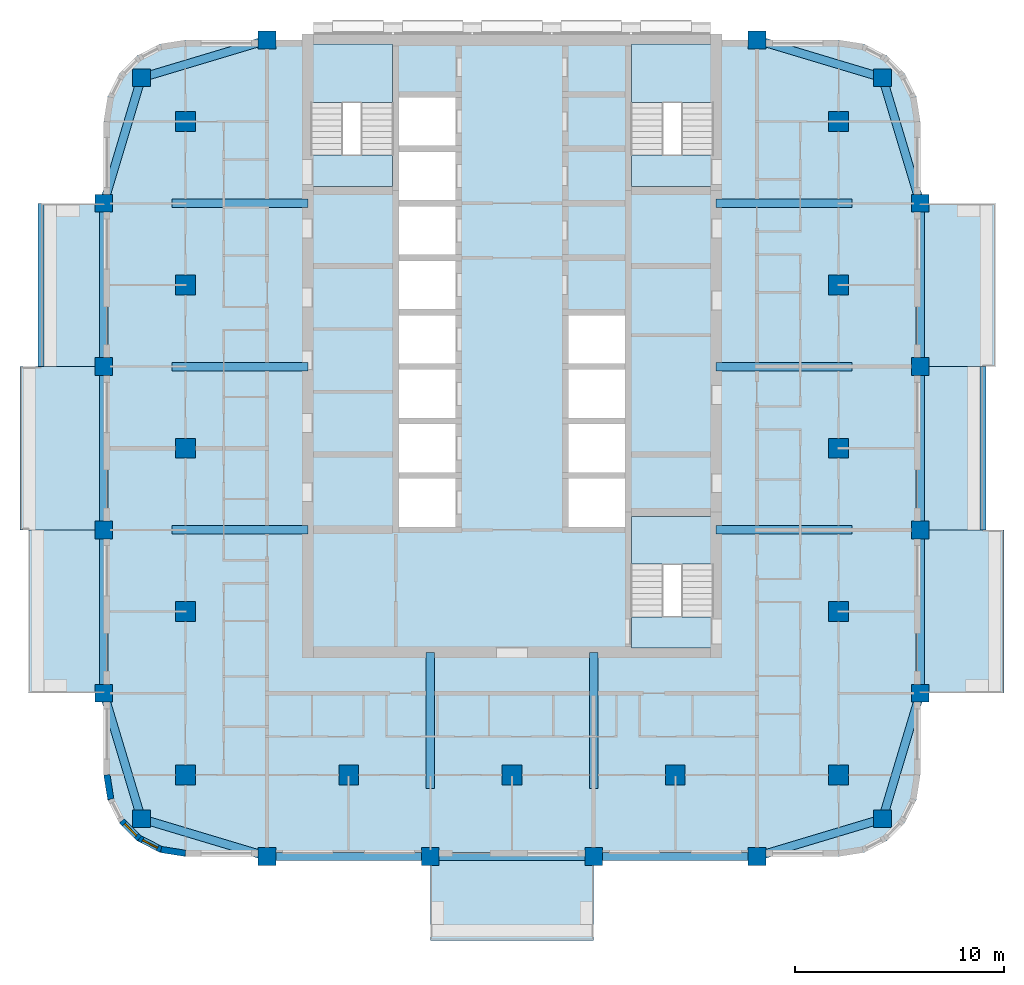
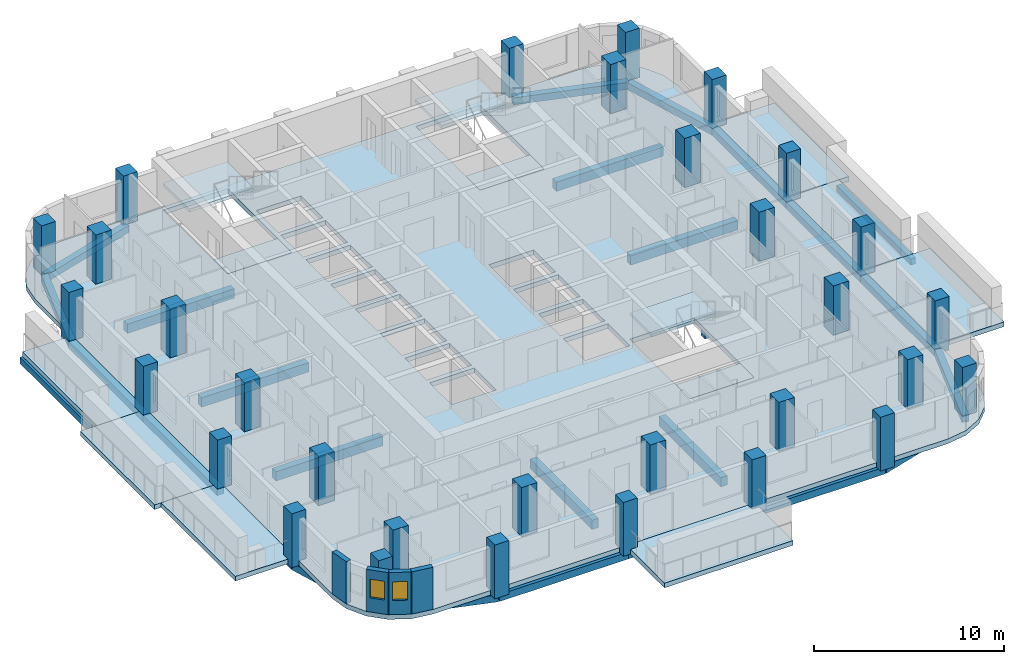
# One storey, part 1 of 14: 31 columns, 27 beams, 14 slabs, 4 walls, 2 windows, 2 openings, 3 elements without a shape of their own.
"""IFC4 building model written with IfcOpenShell, lengths in metres."""

from ifc_helpers import new_model, si_unit, direction, frame, frame_2d, origin, origin_2d, place, context, subcontext, project, spatial, polyline, rectangle, outline, extrude, material, layer, layer_set, material_profile, profile_set, type_object, element, fill, aggregate, save


model = new_model("IFC4")

# Units and contexts
model_context = context("Model", 3, precision=1e-05, world=origin(), true_north=direction((0.0, 1.0)))
body_context = subcontext(model_context, "Body", "Model", "MODEL_VIEW")
ifc_project = project(units=[si_unit("LENGTHUNIT", "METRE"), si_unit("AREAUNIT", "SQUARE_METRE"), si_unit("VOLUMEUNIT", "CUBIC_METRE"), si_unit("PLANEANGLEUNIT", "RADIAN"), si_unit("MASSUNIT", "GRAM", prefix="KILO")], contexts=[model_context])

# Site, building, storey
site_placement = place(None, origin())
site = spatial("IfcSite", under=ifc_project, at=site_placement, CompositionType="ELEMENT")
building_placement = place(site_placement, origin())
building = spatial("IfcBuilding", under=site, at=building_placement, Name="Ludao Terraces", CompositionType="ELEMENT")
storey_placement = place(building_placement, frame((0.0, 0.0, 99.89990234375)))
storey = spatial("IfcBuildingStorey", under=building, at=storey_placement, Name="L27", CompositionType="ELEMENT", Elevation=99.89990234375)

# Columns
ifc_material_1 = material(Name="Concrete C50", Category="concrete")
ifc_material_profile_1 = material_profile(ifc_material_1, rectangle(XDim=0.85009765625, YDim=0.85009765625, at=origin_2d()), Name="850 X 850")
ifc_profile_set_1 = profile_set([ifc_material_profile_1], Name="Concrete C50")
column_type_1 = type_object("IfcColumnType", Name="RC column 850x850 C50", PredefinedType="COLUMN", material=ifc_profile_set_1)
for number, where, z_axis, x_axis, name in (
    (1, (67.300048828125, 47.300048828125, -0.2998046875), (0.0, 0.0, 1.0), (1.0, 0.0, 0.0), "Column L27 C0057x0057"),
    (2, (102.699951171875, 47.300048828125, -0.2998046875), (0.0, 0.0, 1.0), (1.0, 0.0, 0.0), "Column L27 C0411x0057"),
    (3, (67.300048828125, 82.699951171875, -0.2998046875), (0.0, 0.0, 1.0), (1.0, 0.0, 0.0), "Column L27 C0057x0411"),
    (4, (102.699951171875, 82.699951171875, -0.2998046875), (0.0, 0.0, 1.0), (1.0, 0.0, 0.0), "Column L27 C0411x0411"),
    (5, (65.5, 53.300048828125, -0.2998046875), (0.0, 0.0, 1.0), (1.0, 0.0, 0.0), "Column L27 W0039x0117"),
    (6, (104.5, 53.300048828125, -0.2998046875), (0.0, 0.0, 1.0), (1.0, 0.0, 0.0), "Column L27 W0429x0117"),
    (7, (73.300048828125, 45.5, -0.2998046875), (0.0, 0.0, 1.0), (1.0, 0.0, 0.0), "Column L27 W0117x0039"),
    (8, (73.300048828125, 84.5, -0.2998046875), (0.0, 0.0, 1.0), (1.0, 0.0, 0.0), "Column L27 W0117x0429"),
    (9, (65.5, 61.10009765625, -0.2998046875), (0.0, 0.0, 1.0), (1.0, 0.0, 0.0), "Column L27 W0039x0195"),
    (10, (104.5, 61.10009765625, -0.2998046875), (0.0, 0.0, 1.0), (1.0, 0.0, 0.0), "Column L27 W0429x0195"),
    (11, (81.10009765625, 45.5, -0.2998046875), (0.0, 0.0, 1.0), (1.0, 0.0, 0.0), "Column L27 W0195x0039"),
    (12, (65.5, 68.89990234375, -0.2998046875), (0.0, 0.0, 1.0), (1.0, 0.0, 0.0), "Column L27 W0039x0273"),
    (13, (104.5, 68.89990234375, -0.2998046875), (0.0, 0.0, 1.0), (1.0, 0.0, 0.0), "Column L27 W0429x0273"),
    (14, (88.89990234375, 45.5, -0.2998046875), (0.0, 0.0, 1.0), (1.0, 0.0, 0.0), "Column L27 W0273x0039"),
    (15, (65.5, 76.699951171875, -0.2998046875), (0.0, 0.0, 1.0), (1.0, 0.0, 0.0), "Column L27 W0039x0351"),
    (16, (104.5, 76.699951171875, -0.2998046875), (0.0, 0.0, 1.0), (1.0, 0.0, 0.0), "Column L27 W0429x0351"),
    (17, (96.699951171875, 45.5, -0.2998046875), (0.0, 0.0, 1.0), (1.0, 0.0, 0.0), "Column L27 W0351x0039"),
    (18, (96.699951171875, 84.5, -0.2998046875), (0.0, 0.0, 1.0), (1.0, 0.0, 0.0), "Column L27 W0351x0429"),
):
    element("IfcColumn", number, at=place(storey_placement, frame(where, z_axis=z_axis, x_axis=x_axis)), inside=storey, type_object=column_type_1, Name=name, PredefinedType="COLUMN", context=body_context, shape_type="SweptSolid", body=[
        extrude(rectangle(XDim=0.85009765625, YDim=0.85009765625, at=origin_2d()), origin(), (0.0, 0.0, 1.0), 3.449951171875),
    ])
ifc_material_profile_2 = material_profile(ifc_material_1, rectangle(XDim=0.949951171875, YDim=0.949951171875, at=origin_2d()), Name="950 X 950")
ifc_profile_set_2 = profile_set([ifc_material_profile_2], Name="Concrete C50")
column_type_2 = type_object("IfcColumnType", Name="RC column 950x950 C50", PredefinedType="COLUMN", material=ifc_profile_set_2)
for number, where, z_axis, x_axis, name in (
    (19, (69.39990234375, 49.39990234375, -0.2998046875), (0.0, 0.0, 1.0), (1.0, 0.0, 0.0), "Column L27 S0078x0078"),
    (20, (69.39990234375, 57.199951171875, -0.2998046875), (0.0, 0.0, 1.0), (1.0, 0.0, 0.0), "Column L27 S0078x0156"),
    (21, (69.39990234375, 65.0, -0.2998046875), (0.0, 0.0, 1.0), (1.0, 0.0, 0.0), "Column L27 S0078x0234"),
    (22, (69.39990234375, 72.800048828125, -0.2998046875), (0.0, 0.0, 1.0), (1.0, 0.0, 0.0), "Column L27 S0078x0312"),
    (23, (69.39990234375, 80.60009765625, -0.2998046875), (0.0, 0.0, 1.0), (1.0, 0.0, 0.0), "Column L27 S0078x0390"),
    (24, (77.199951171875, 49.39990234375, -0.2998046875), (0.0, 0.0, 1.0), (1.0, 0.0, 0.0), "Column L27 S0156x0078"),
    (25, (85.0, 49.39990234375, -0.2998046875), (0.0, 0.0, 1.0), (1.0, 0.0, 0.0), "Column L27 S0234x0078"),
    (26, (92.800048828125, 49.39990234375, -0.2998046875), (0.0, 0.0, 1.0), (1.0, 0.0, 0.0), "Column L27 S0312x0078"),
    (27, (100.60009765625, 49.39990234375, -0.2998046875), (0.0, 0.0, 1.0), (1.0, 0.0, 0.0), "Column L27 S0390x0078"),
    (28, (100.60009765625, 57.199951171875, -0.2998046875), (0.0, 0.0, 1.0), (1.0, 0.0, 0.0), "Column L27 S0390x0156"),
    (29, (100.60009765625, 65.0, -0.2998046875), (0.0, 0.0, 1.0), (1.0, 0.0, 0.0), "Column L27 S0390x0234"),
    (30, (100.60009765625, 72.800048828125, -0.2998046875), (0.0, 0.0, 1.0), (1.0, 0.0, 0.0), "Column L27 S0390x0312"),
    (31, (100.60009765625, 80.60009765625, -0.2998046875), (0.0, 0.0, 1.0), (1.0, 0.0, 0.0), "Column L27 S0390x0390"),
):
    element("IfcColumn", number, at=place(storey_placement, frame(where, z_axis=z_axis, x_axis=x_axis)), inside=storey, type_object=column_type_2, Name=name, PredefinedType="COLUMN", context=body_context, shape_type="SweptSolid", body=[
        extrude(rectangle(XDim=0.949951171875, YDim=0.949951171875, at=origin_2d()), origin(), (0.0, 0.0, 1.0), 3.449951171875),
    ])

# Beams
ifc_material_2 = material(Name="Concrete C40", Category="concrete")
ifc_material_profile_3 = material_profile(ifc_material_2, rectangle(XDim=0.300048828125, YDim=0.39990234375, at=origin_2d()), Name="300 X 400")
ifc_profile_set_3 = profile_set([ifc_material_profile_3], Name="Concrete C40")
beam_type_1 = type_object("IfcBeamType", Name="RC beam 300x400 C40", PredefinedType="BEAM", material=ifc_profile_set_3)
beam_1_placement = place(storey_placement, frame((107.5, 61.10009765625, -0.5), z_axis=(0.0, 1.0, 0.0), x_axis=(-1.0, 0.0, 0.0)))
element("IfcBeam", 32, at=beam_1_placement, inside=storey, type_object=beam_type_1, Name="Balcony edge beam L27 E2", PredefinedType="BEAM", context=body_context, shape_type="SweptSolid", body=[
    extrude(rectangle(XDim=0.300048828125, YDim=0.39990234375, at=origin_2d()), origin(), (0.0, 0.0, 1.0), 7.7998046875),
])
beam_2_placement = place(storey_placement, frame((62.5, 68.89990234375, -0.5), z_axis=(0.0, 1.0, 0.0), x_axis=(-1.0, 0.0, 0.0)))
element("IfcBeam", 33, at=beam_2_placement, inside=storey, type_object=beam_type_1, Name="Balcony edge beam L27 W3", PredefinedType="BEAM", context=body_context, shape_type="SweptSolid", body=[
    extrude(rectangle(XDim=0.300048828125, YDim=0.39990234375, at=origin_2d()), origin(), (0.0, 0.0, 1.0), 7.800048828125),
])
ifc_material_profile_4 = material_profile(ifc_material_2, rectangle(XDim=0.39990234375, YDim=0.449951171875, at=origin_2d()), Name="400 X 450")
ifc_profile_set_4 = profile_set([ifc_material_profile_4], Name="Concrete C40")
beam_type_2 = type_object("IfcBeamType", Name="RC beam 400x450 C40", PredefinedType="BEAM", material=ifc_profile_set_4)
beam_3_placement = place(storey_placement, frame((67.300048828125, 47.300048828125, -0.52490234375), z_axis=(0.957824139839, -0.287355036744, 0.0), x_axis=(0.287355036744, 0.957824139839, 0.0)))
element("IfcBeam", 34, at=beam_3_placement, inside=storey, type_object=beam_type_2, Name="Spandrel beam L27 S1", PredefinedType="BEAM", context=body_context, shape_type="SweptSolid", body=[
    extrude(rectangle(XDim=0.39990234375, YDim=0.449951171875, at=origin_2d()), origin(), (0.0, 0.0, 1.0), 6.26416015625),
])
beam_4_placement = place(storey_placement, frame((73.300048828125, 45.5, -0.52490234375), z_axis=(1.0, 0.0, 0.0), x_axis=(0.0, 1.0, 0.0)))
element("IfcBeam", 35, at=beam_4_placement, inside=storey, type_object=beam_type_2, Name="Spandrel beam L27 S2", PredefinedType="BEAM", context=body_context, shape_type="SweptSolid", body=[
    extrude(rectangle(XDim=0.39990234375, YDim=0.449951171875, at=origin_2d()), origin(), (0.0, 0.0, 1.0), 7.800048828125),
])
beam_5_placement = place(storey_placement, frame((81.10009765625, 45.5, -0.52490234375), z_axis=(1.0, 0.0, 0.0), x_axis=(0.0, 1.0, 0.0)))
element("IfcBeam", 36, at=beam_5_placement, inside=storey, type_object=beam_type_2, Name="Spandrel beam L27 S3", PredefinedType="BEAM", context=body_context, shape_type="SweptSolid", body=[
    extrude(rectangle(XDim=0.39990234375, YDim=0.449951171875, at=origin_2d()), origin(), (0.0, 0.0, 1.0), 7.7998046875),
])
beam_6_placement = place(storey_placement, frame((88.89990234375, 45.5, -0.52490234375), z_axis=(1.0, 0.0, 0.0), x_axis=(0.0, 1.0, 0.0)))
element("IfcBeam", 37, at=beam_6_placement, inside=storey, type_object=beam_type_2, Name="Spandrel beam L27 S4", PredefinedType="BEAM", context=body_context, shape_type="SweptSolid", body=[
    extrude(rectangle(XDim=0.39990234375, YDim=0.449951171875, at=origin_2d()), origin(), (0.0, 0.0, 1.0), 7.800048828125),
])
for number, where, z_axis, x_axis, name in (
    (38, (96.699951171875, 45.5, -0.52490234375), (0.957824139839, 0.287355036744, 0.0), (-0.287355036744, 0.957824139839, 0.0), "Spandrel beam L27 S5"),
    (39, (67.300048828125, 82.699951171875, -0.52490234375), (0.957824139839, 0.287355036744, 0.0), (-0.287355036744, 0.957824139839, 0.0), "Spandrel beam L27 N6"),
    (40, (96.699951171875, 84.5, -0.52490234375), (0.957824139839, -0.287355036744, 0.0), (0.287355036744, 0.957824139839, 0.0), "Spandrel beam L27 N7"),
    (41, (67.300048828125, 47.300048828125, -0.52490234375), (-0.287355036744, 0.957824139839, 0.0), (-0.957824139839, -0.287355036744, 0.0), "Spandrel beam L27 W8"),
):
    element("IfcBeam", number, at=place(storey_placement, frame(where, z_axis=z_axis, x_axis=x_axis)), inside=storey, type_object=beam_type_2, Name=name, PredefinedType="BEAM", context=body_context, shape_type="SweptSolid", body=[
        extrude(rectangle(XDim=0.39990234375, YDim=0.449951171875, at=origin_2d()), origin(), (0.0, 0.0, 1.0), 6.26416015625),
    ])
beam_7_placement = place(storey_placement, frame((65.5, 53.300048828125, -0.52490234375), z_axis=(0.0, 1.0, 0.0), x_axis=(-1.0, 0.0, 0.0)))
element("IfcBeam", 42, at=beam_7_placement, inside=storey, type_object=beam_type_2, Name="Spandrel beam L27 W9", PredefinedType="BEAM", context=body_context, shape_type="SweptSolid", body=[
    extrude(rectangle(XDim=0.39990234375, YDim=0.449951171875, at=origin_2d()), origin(), (0.0, 0.0, 1.0), 7.800048828125),
])
beam_8_placement = place(storey_placement, frame((65.5, 61.10009765625, -0.52490234375), z_axis=(0.0, 1.0, 0.0), x_axis=(-1.0, 0.0, 0.0)))
element("IfcBeam", 43, at=beam_8_placement, inside=storey, type_object=beam_type_2, Name="Spandrel beam L27 W10", PredefinedType="BEAM", context=body_context, shape_type="SweptSolid", body=[
    extrude(rectangle(XDim=0.39990234375, YDim=0.449951171875, at=origin_2d()), origin(), (0.0, 0.0, 1.0), 7.7998046875),
])
beam_9_placement = place(storey_placement, frame((65.5, 68.89990234375, -0.52490234375), z_axis=(0.0, 1.0, 0.0), x_axis=(-1.0, 0.0, 0.0)))
element("IfcBeam", 44, at=beam_9_placement, inside=storey, type_object=beam_type_2, Name="Spandrel beam L27 W11", PredefinedType="BEAM", context=body_context, shape_type="SweptSolid", body=[
    extrude(rectangle(XDim=0.39990234375, YDim=0.449951171875, at=origin_2d()), origin(), (0.0, 0.0, 1.0), 7.800048828125),
])
for number, where, z_axis, x_axis, name in (
    (45, (65.5, 76.699951171875, -0.52490234375), (0.287355036744, 0.957824139839, 0.0), (-0.957824139839, 0.287355036744, 0.0), "Spandrel beam L27 W12"),
    (46, (102.699951171875, 47.300048828125, -0.52490234375), (0.287355036744, 0.957824139839, 0.0), (-0.957824139839, 0.287355036744, 0.0), "Spandrel beam L27 E13"),
):
    element("IfcBeam", number, at=place(storey_placement, frame(where, z_axis=z_axis, x_axis=x_axis)), inside=storey, type_object=beam_type_2, Name=name, PredefinedType="BEAM", context=body_context, shape_type="SweptSolid", body=[
        extrude(rectangle(XDim=0.39990234375, YDim=0.449951171875, at=origin_2d()), origin(), (0.0, 0.0, 1.0), 6.26416015625),
    ])
beam_10_placement = place(storey_placement, frame((104.5, 53.300048828125, -0.52490234375), z_axis=(0.0, 1.0, 0.0), x_axis=(-1.0, 0.0, 0.0)))
element("IfcBeam", 47, at=beam_10_placement, inside=storey, type_object=beam_type_2, Name="Spandrel beam L27 E14", PredefinedType="BEAM", context=body_context, shape_type="SweptSolid", body=[
    extrude(rectangle(XDim=0.39990234375, YDim=0.449951171875, at=origin_2d()), origin(), (0.0, 0.0, 1.0), 7.800048828125),
])
beam_11_placement = place(storey_placement, frame((104.5, 61.10009765625, -0.52490234375), z_axis=(0.0, 1.0, 0.0), x_axis=(-1.0, 0.0, 0.0)))
element("IfcBeam", 48, at=beam_11_placement, inside=storey, type_object=beam_type_2, Name="Spandrel beam L27 E15", PredefinedType="BEAM", context=body_context, shape_type="SweptSolid", body=[
    extrude(rectangle(XDim=0.39990234375, YDim=0.449951171875, at=origin_2d()), origin(), (0.0, 0.0, 1.0), 7.7998046875),
])
beam_12_placement = place(storey_placement, frame((104.5, 68.89990234375, -0.52490234375), z_axis=(0.0, 1.0, 0.0), x_axis=(-1.0, 0.0, 0.0)))
element("IfcBeam", 49, at=beam_12_placement, inside=storey, type_object=beam_type_2, Name="Spandrel beam L27 E16", PredefinedType="BEAM", context=body_context, shape_type="SweptSolid", body=[
    extrude(rectangle(XDim=0.39990234375, YDim=0.449951171875, at=origin_2d()), origin(), (0.0, 0.0, 1.0), 7.800048828125),
])
beam_13_placement = place(storey_placement, frame((104.5, 76.699951171875, -0.52490234375), z_axis=(-0.287355036744, 0.957824139839, 0.0), x_axis=(-0.957824139839, -0.287355036744, 0.0)))
element("IfcBeam", 50, at=beam_13_placement, inside=storey, type_object=beam_type_2, Name="Spandrel beam L27 E17", PredefinedType="BEAM", context=body_context, shape_type="SweptSolid", body=[
    extrude(rectangle(XDim=0.39990234375, YDim=0.449951171875, at=origin_2d()), origin(), (0.0, 0.0, 1.0), 6.26416015625),
])
ifc_material_profile_5 = material_profile(ifc_material_2, rectangle(XDim=0.39990234375, YDim=0.60009765625, at=origin_2d()), Name="400 X 600")
ifc_profile_set_5 = profile_set([ifc_material_profile_5], Name="Concrete C40")
beam_type_3 = type_object("IfcBeamType", Name="RC beam 400x600 C40", PredefinedType="BEAM", material=ifc_profile_set_5)
for number, where, z_axis, x_axis, name in (
    (51, (94.75, 61.10009765625, -0.599853515625), (1.0, 0.0, 0.0), (0.0, 1.0, 0.0), "Balcony beam L27 E611"),
    (52, (94.75, 68.89990234375, -0.599853515625), (1.0, 0.0, 0.0), (0.0, 1.0, 0.0), "Balcony beam L27 E689"),
    (53, (94.75, 76.699951171875, -0.599853515625), (1.0, 0.0, 0.0), (0.0, 1.0, 0.0), "Balcony beam L27 E767"),
    (54, (81.10009765625, 55.25, -0.599853515625), (0.0, -1.0, 0.0), (1.0, 0.0, 0.0), "Balcony beam L27 S811"),
    (55, (88.89990234375, 55.25, -0.599853515625), (0.0, -1.0, 0.0), (1.0, 0.0, 0.0), "Balcony beam L27 S889"),
    (56, (75.25, 61.10009765625, -0.599853515625), (-1.0, 0.0, 0.0), (0.0, -1.0, 0.0), "Balcony beam L27 W611"),
    (57, (75.25, 68.89990234375, -0.599853515625), (-1.0, 0.0, 0.0), (0.0, -1.0, 0.0), "Balcony beam L27 W689"),
    (58, (75.25, 76.699951171875, -0.599853515625), (-1.0, 0.0, 0.0), (0.0, -1.0, 0.0), "Balcony beam L27 W767"),
):
    element("IfcBeam", number, at=place(storey_placement, frame(where, z_axis=z_axis, x_axis=x_axis)), inside=storey, type_object=beam_type_3, Name=name, PredefinedType="BEAM", context=body_context, shape_type="SweptSolid", body=[
        extrude(rectangle(XDim=0.39990234375, YDim=0.60009765625, at=origin_2d()), origin(), (0.0, 0.0, 1.0), 6.5),
    ])

# Slabs
ifc_layer_1 = layer(ifc_material_2, 0.300048828125)
ifc_layer_set_1 = layer_set([ifc_layer_1], Name="Balcony slab 300 C40")
slab_type_1 = type_object("IfcSlabType", Name="Balcony slab 300 C40", PredefinedType="USERDEFINED", material=ifc_layer_set_1)
slab_1_placement = place(storey_placement, frame((0.0, 0.0, -0.2998046875)))
element("IfcSlab", 59, at=slab_1_placement, inside=storey, type_object=slab_type_1, Name="Balcony L27 S1", ObjectType="BALCONY", PredefinedType="USERDEFINED", context=body_context, shape_type="SweptSolid", body=[
    extrude(outline(polyline([(81.10009765625, 41.5), (88.89990234375, 41.5), (88.89990234375, 45.5), (81.10009765625, 45.5), (81.10009765625, 41.5)])), origin(), (0.0, 0.0, 1.0), 0.2998046875),
])
slab_2_placement = place(storey_placement, frame((0.0, 0.0, -0.2998046875)))
element("IfcSlab", 60, at=slab_2_placement, inside=storey, type_object=slab_type_1, Name="Balcony L27 E1", ObjectType="BALCONY", PredefinedType="USERDEFINED", context=body_context, shape_type="SweptSolid", body=[
    extrude(outline(polyline([(104.5, 53.300048828125), (108.5, 53.300048828125), (108.5, 61.10009765625), (104.5, 61.10009765625), (104.5, 53.300048828125)])), origin(), (0.0, 0.0, 1.0), 0.2998046875),
])
slab_3_placement = place(storey_placement, frame((0.0, 0.0, -0.2998046875)))
element("IfcSlab", 61, at=slab_3_placement, inside=storey, type_object=slab_type_1, Name="Balcony L27 E2", ObjectType="BALCONY", PredefinedType="USERDEFINED", context=body_context, shape_type="SweptSolid", body=[
    extrude(outline(polyline([(104.5, 61.10009765625), (107.5, 61.10009765625), (107.5, 68.89990234375), (104.5, 68.89990234375), (104.5, 61.10009765625)])), origin(), (0.0, 0.0, 1.0), 0.2998046875),
])
slab_4_placement = place(storey_placement, frame((0.0, 0.0, -0.2998046875)))
element("IfcSlab", 62, at=slab_4_placement, inside=storey, type_object=slab_type_1, Name="Balcony L27 E3", ObjectType="BALCONY", PredefinedType="USERDEFINED", context=body_context, shape_type="SweptSolid", body=[
    extrude(outline(polyline([(104.5, 68.89990234375), (108.10009765625, 68.89990234375), (108.10009765625, 76.699951171875), (104.5, 76.699951171875), (104.5, 68.89990234375)])), origin(), (0.0, 0.0, 1.0), 0.2998046875),
])
slab_5_placement = place(storey_placement, frame((0.0, 0.0, -0.2998046875)))
element("IfcSlab", 63, at=slab_5_placement, inside=storey, type_object=slab_type_1, Name="Balcony L27 W1", ObjectType="BALCONY", PredefinedType="USERDEFINED", context=body_context, shape_type="SweptSolid", body=[
    extrude(outline(polyline([(61.89990234375, 53.300048828125), (65.5, 53.300048828125), (65.5, 61.10009765625), (61.89990234375, 61.10009765625), (61.89990234375, 53.300048828125)])), origin(), (0.0, 0.0, 1.0), 0.2998046875),
])
slab_6_placement = place(storey_placement, frame((0.0, 0.0, -0.2998046875)))
element("IfcSlab", 64, at=slab_6_placement, inside=storey, type_object=slab_type_1, Name="Balcony L27 W2", ObjectType="BALCONY", PredefinedType="USERDEFINED", context=body_context, shape_type="SweptSolid", body=[
    extrude(outline(polyline([(61.5, 61.10009765625), (65.5, 61.10009765625), (65.5, 68.89990234375), (61.5, 68.89990234375), (61.5, 61.10009765625)])), origin(), (0.0, 0.0, 1.0), 0.2998046875),
])
slab_7_placement = place(storey_placement, frame((0.0, 0.0, -0.2998046875)))
element("IfcSlab", 65, at=slab_7_placement, inside=storey, type_object=slab_type_1, Name="Balcony L27 W3", ObjectType="BALCONY", PredefinedType="USERDEFINED", context=body_context, shape_type="SweptSolid", body=[
    extrude(outline(polyline([(62.5, 68.89990234375), (65.5, 68.89990234375), (65.5, 76.699951171875), (62.5, 76.699951171875), (62.5, 68.89990234375)])), origin(), (0.0, 0.0, 1.0), 0.2998046875),
])
ifc_layer_2 = layer(ifc_material_2, 0.300048828125)
ifc_layer_set_2 = layer_set([ifc_layer_2], Name="Floor slab 300 C40")
slab_type_2 = type_object("IfcSlabType", Name="Floor slab 300 C40", PredefinedType="FLOOR", material=ifc_layer_set_2)
slab_8_placement = place(storey_placement, frame((0.0, 0.0, -0.2998046875)))
element("IfcSlab", 66, at=slab_8_placement, inside=storey, type_object=slab_type_2, Name="Slab L27", PredefinedType="FLOOR", context=body_context, shape_type="SweptSolid", body=[
    extrude(outline(polyline([(100.60009765625, 45.5), (101.80517578125, 45.69091796875), (102.892333984375, 46.244873046875), (103.755126953125, 47.107666015625), (104.30908203125, 48.19482421875), (104.5, 49.39990234375), (104.5, 80.60009765625), (104.30908203125, 81.80517578125), (103.755126953125, 82.892333984375), (102.892333984375, 83.755126953125), (101.80517578125, 84.30908203125), (100.60009765625, 84.5), (69.39990234375, 84.5), (68.19482421875, 84.30908203125), (67.107666015625, 83.755126953125), (66.244873046875, 82.892333984375), (65.69091796875, 81.80517578125), (65.5, 80.60009765625), (65.5, 49.39990234375), (65.69091796875, 48.19482421875), (66.244873046875, 47.107666015625), (67.107666015625, 46.244873046875), (68.19482421875, 45.69091796875), (69.39990234375, 45.5), (100.60009765625, 45.5)]), holes=[polyline([(79.60009765625, 61.25), (82.300048828125, 61.25), (82.300048828125, 63.550048828125), (79.60009765625, 63.550048828125), (79.60009765625, 61.25)]), polyline([(79.60009765625, 63.85009765625), (82.300048828125, 63.85009765625), (82.300048828125, 66.14990234375), (79.60009765625, 66.14990234375), (79.60009765625, 63.85009765625)]), polyline([(79.60009765625, 66.449951171875), (82.300048828125, 66.449951171875), (82.300048828125, 68.75), (79.60009765625, 68.75), (79.60009765625, 66.449951171875)]), polyline([(79.60009765625, 69.050048828125), (82.300048828125, 69.050048828125), (82.300048828125, 71.35009765625), (79.60009765625, 71.35009765625), (79.60009765625, 69.050048828125)]), polyline([(79.60009765625, 71.64990234375), (82.300048828125, 71.64990234375), (82.300048828125, 73.949951171875), (79.60009765625, 73.949951171875), (79.60009765625, 71.64990234375)]), polyline([(79.60009765625, 74.25), (82.300048828125, 74.25), (82.300048828125, 76.550048828125), (79.60009765625, 76.550048828125), (79.60009765625, 74.25)]), polyline([(79.60009765625, 76.85009765625), (82.300048828125, 76.85009765625), (82.300048828125, 79.14990234375), (79.60009765625, 79.14990234375), (79.60009765625, 76.85009765625)]), polyline([(79.60009765625, 79.449951171875), (82.300048828125, 79.449951171875), (82.300048828125, 81.75), (79.60009765625, 81.75), (79.60009765625, 79.449951171875)]), polyline([(87.699951171875, 61.25), (90.39990234375, 61.25), (90.39990234375, 63.550048828125), (87.699951171875, 63.550048828125), (87.699951171875, 61.25)]), polyline([(87.699951171875, 63.85009765625), (90.39990234375, 63.85009765625), (90.39990234375, 66.14990234375), (87.699951171875, 66.14990234375), (87.699951171875, 63.85009765625)]), polyline([(87.699951171875, 66.449951171875), (90.39990234375, 66.449951171875), (90.39990234375, 68.75), (87.699951171875, 68.75), (87.699951171875, 66.449951171875)]), polyline([(87.699951171875, 69.050048828125), (90.39990234375, 69.050048828125), (90.39990234375, 71.35009765625), (87.699951171875, 71.35009765625), (87.699951171875, 69.050048828125)]), polyline([(75.39990234375, 77.5), (79.300048828125, 77.5), (79.300048828125, 84.239990234375), (75.39990234375, 84.239990234375), (75.39990234375, 77.5)]), polyline([(90.699951171875, 77.5), (94.60009765625, 77.5), (94.60009765625, 84.239990234375), (90.699951171875, 84.239990234375), (90.699951171875, 77.5)]), polyline([(90.699951171875, 55.449951171875), (94.60009765625, 55.449951171875), (94.60009765625, 61.75), (90.699951171875, 61.75), (90.699951171875, 55.449951171875)])]), origin(), (0.0, 0.0, 1.0), 0.2998046875),
])

# Stair, slabs
stair_type = type_object("IfcStairType", Name="INT Stair", PredefinedType="HALF_TURN_STAIR", material=ifc_material_2)
stair_1_placement = place(storey_placement, origin())
stair_1 = element("IfcStair", 67, at=stair_1_placement, inside=storey, type_object=stair_type, Name="EXIT STAIR 1", PredefinedType="HALF_TURN_STAIR")
ifc_layer_3 = layer(ifc_material_2, 0.199951171875)
ifc_layer_set_3 = layer_set([ifc_layer_3], Name="INT Stair landing 200")
slab_type_3 = type_object("IfcSlabType", Name="INT Stair landing 200", PredefinedType="LANDING", material=ifc_layer_set_3)
slab_9_placement = place(storey_placement, frame((0.0, 0.0, 1.5)))
slab_9 = element("IfcSlab", 68, at=slab_9_placement, type_object=slab_type_3, Name="ST1 landing 1", PredefinedType="LANDING", context=body_context, shape_type="SweptSolid", body=[
    extrude(outline(polyline([(75.39990234375, 81.52001953125), (79.300048828125, 81.52001953125), (79.300048828125, 84.300048828125), (75.39990234375, 84.300048828125), (75.39990234375, 81.52001953125)])), origin(), (0.0, 0.0, 1.0), 0.2001953125),
])
slab_10_placement = place(storey_placement, frame((0.0, 0.0, -0.199951171875)))
slab_10 = element("IfcSlab", 69, at=slab_10_placement, type_object=slab_type_3, Name="ST1 landing 2", PredefinedType="LANDING", context=body_context, shape_type="SweptSolid", body=[
    extrude(outline(polyline([(75.39990234375, 77.5), (79.300048828125, 77.5), (79.300048828125, 79.0), (75.39990234375, 79.0), (75.39990234375, 77.5)])), origin(), (0.0, 0.0, 1.0), 0.199951171875),
])
aggregate(stair_1, [slab_9, slab_10])

stair_2_placement = place(storey_placement, origin())
stair_2 = element("IfcStair", 70, at=stair_2_placement, inside=storey, type_object=stair_type, Name="EXIT STAIR 2", PredefinedType="HALF_TURN_STAIR")
slab_11_placement = place(storey_placement, frame((0.0, 0.0, 1.5)))
slab_11 = element("IfcSlab", 71, at=slab_11_placement, type_object=slab_type_3, Name="ST2 landing 1", PredefinedType="LANDING", context=body_context, shape_type="SweptSolid", body=[
    extrude(outline(polyline([(90.699951171875, 81.52001953125), (94.60009765625, 81.52001953125), (94.60009765625, 84.300048828125), (90.699951171875, 84.300048828125), (90.699951171875, 81.52001953125)])), origin(), (0.0, 0.0, 1.0), 0.2001953125),
])
slab_12_placement = place(storey_placement, frame((0.0, 0.0, -0.199951171875)))
slab_12 = element("IfcSlab", 72, at=slab_12_placement, type_object=slab_type_3, Name="ST2 landing 2", PredefinedType="LANDING", context=body_context, shape_type="SweptSolid", body=[
    extrude(outline(polyline([(90.699951171875, 77.5), (94.60009765625, 77.5), (94.60009765625, 79.0), (90.699951171875, 79.0), (90.699951171875, 77.5)])), origin(), (0.0, 0.0, 1.0), 0.199951171875),
])
aggregate(stair_2, [slab_11, slab_12])

stair_3_placement = place(storey_placement, origin())
stair_3 = element("IfcStair", 73, at=stair_3_placement, inside=storey, type_object=stair_type, Name="EXIT STAIR 3", PredefinedType="HALF_TURN_STAIR")
slab_13_placement = place(storey_placement, frame((0.0, 0.0, 1.5)))
slab_13 = element("IfcSlab", 74, at=slab_13_placement, type_object=slab_type_3, Name="ST3 landing 1", PredefinedType="LANDING", context=body_context, shape_type="SweptSolid", body=[
    extrude(outline(polyline([(90.699951171875, 59.469970703125), (94.60009765625, 59.469970703125), (94.60009765625, 61.75), (90.699951171875, 61.75), (90.699951171875, 59.469970703125)])), origin(), (0.0, 0.0, 1.0), 0.2001953125),
])
slab_14_placement = place(storey_placement, frame((0.0, 0.0, -0.199951171875)))
slab_14 = element("IfcSlab", 75, at=slab_14_placement, type_object=slab_type_3, Name="ST3 landing 2", PredefinedType="LANDING", context=body_context, shape_type="SweptSolid", body=[
    extrude(outline(polyline([(90.699951171875, 55.449951171875), (94.60009765625, 55.449951171875), (94.60009765625, 56.949951171875), (90.699951171875, 56.949951171875), (90.699951171875, 55.449951171875)])), origin(), (0.0, 0.0, 1.0), 0.199951171875),
])
aggregate(stair_3, [slab_13, slab_14])

# Wall
ifc_material_3 = material(Name="Granite cladding", Category="masonry")
ifc_layer_4 = layer(ifc_material_3, 0.0400390625, Category="stone")
ifc_material_4 = material(Name="Mineral wool")
ifc_layer_5 = layer(ifc_material_4, 0.06005859375)
ifc_layer_6 = layer(ifc_material_2, 0.199951171875, Category="concrete")
ifc_layer_set_4 = layer_set([ifc_layer_4, ifc_layer_5, ifc_layer_6], Name="ENV Stone-clad wall 300")
wall_type = type_object("IfcWallType", Name="ENV Stone-clad wall 300", PredefinedType="SOLIDWALL", material=ifc_layer_set_4)
wall_1_placement = place(storey_placement, frame((65.64990234375, 49.39990234375, 0.0), z_axis=(0.0, 0.0, 1.0), x_axis=(0.156496880861, -0.987678452879, 0.0)))
element("IfcWall", 76, at=wall_1_placement, inside=storey, type_object=wall_type, Name="EW-L27-SW1", PredefinedType="SOLIDWALL", context=body_context, shape_type="SweptSolid", body=[
    extrude(rectangle(XDim=1.173095703125, YDim=0.300048828125, at=frame_2d((0.58642578125, 0.0))), origin(), (0.0, 0.0, 1.0), 2.7001953125),
])

# Wall, opening, window
wall_2_placement = place(storey_placement, frame((66.3662109375, 47.19580078125, 0.0), z_axis=(0.0, 0.0, 1.0), x_axis=(0.707106781187, -0.707106781187, 0.0)))
wall_2 = element("IfcWall", 77, at=wall_2_placement, inside=storey, type_object=wall_type, Name="EW-L27-SW3", PredefinedType="SOLIDWALL", context=body_context, shape_type="SweptSolid", body=[
    extrude(rectangle(XDim=1.173095703125, YDim=0.300048828125, at=frame_2d((0.58642578125, 0.0))), origin(), (0.0, 0.0, 1.0), 2.7001953125),
])
opening_1_placement = place(wall_2_placement, frame((0.1865234375, 0.0, 0.89990234375)))
opening_1 = element("IfcOpeningElement", 78, at=opening_1_placement, cuts=wall_2, Name="Opening W3", PredefinedType="OPENING", context=body_context, shape_type="SweptSolid", body=[
    extrude(rectangle(XDim=0.800048828125, YDim=1.199951171875, at=frame_2d((0.39990234375, 0.60009765625))), frame((0.0, 0.16015625, 0.0), z_axis=(0.0, -1.0, 0.0), x_axis=(1.0, 0.0, 0.0)), (0.0, 0.0, 1.0), 0.320068359375),
])
ifc_material_5 = material(Name="Clear glass in aluminium frame", Category="aluminium")
ifc_layer_7 = layer(ifc_material_5, 0.06005859375)
ifc_layer_set_5 = layer_set([ifc_layer_7], Name="ENV Window W3 800x1200")
window_type = type_object("IfcWindowType", Name="ENV Window W3 800x1200", PartitioningType="SINGLE_PANEL", PredefinedType="WINDOW", material=ifc_layer_set_5)
window_1_placement = place(opening_1_placement, origin())
window_1 = element("IfcWindow", 79, at=window_1_placement, inside=storey, type_object=window_type, Name="W-L27-SW3", OverallHeight=1.199951171875, OverallWidth=0.800048828125, PartitioningType="SINGLE_PANEL", PredefinedType="WINDOW", context=body_context, shape_type="SweptSolid", body=[
    extrude(rectangle(XDim=0.800048828125, YDim=1.199951171875, at=frame_2d((0.39990234375, 0.60009765625))), frame((0.0, 0.030029296875, 0.0), z_axis=(0.0, -1.0, 0.0), x_axis=(1.0, 0.0, 0.0)), (0.0, 0.0, 1.0), 0.06005859375),
])
fill(opening_1, window_1)

wall_3_placement = place(storey_placement, frame((67.19580078125, 46.3662109375, 0.0), z_axis=(0.0, 0.0, 1.0), x_axis=(0.890988677504, -0.454025524128, 0.0)))
wall_3 = element("IfcWall", 80, at=wall_3_placement, inside=storey, type_object=wall_type, Name="EW-L27-SW4", PredefinedType="SOLIDWALL", context=body_context, shape_type="SweptSolid", body=[
    extrude(rectangle(XDim=1.17333984375, YDim=0.300048828125, at=frame_2d((0.586669921875, 0.0))), origin(), (0.0, 0.0, 1.0), 2.7001953125),
])
opening_2_placement = place(wall_3_placement, frame((0.1865234375, 0.0, 0.89990234375)))
opening_2 = element("IfcOpeningElement", 81, at=opening_2_placement, cuts=wall_3, Name="Opening W3", PredefinedType="OPENING", context=body_context, shape_type="SweptSolid", body=[
    extrude(rectangle(XDim=0.800048828125, YDim=1.199951171875, at=frame_2d((0.39990234375, 0.60009765625))), frame((0.0, 0.16015625, 0.0), z_axis=(0.0, -1.0, 0.0), x_axis=(1.0, 0.0, 0.0)), (0.0, 0.0, 1.0), 0.320068359375),
])
window_2_placement = place(opening_2_placement, origin())
window_2 = element("IfcWindow", 82, at=window_2_placement, inside=storey, type_object=window_type, Name="W-L27-SW4", OverallHeight=1.199951171875, OverallWidth=0.800048828125, PartitioningType="SINGLE_PANEL", PredefinedType="WINDOW", context=body_context, shape_type="SweptSolid", body=[
    extrude(rectangle(XDim=0.800048828125, YDim=1.199951171875, at=frame_2d((0.39990234375, 0.60009765625))), frame((0.0, 0.030029296875, 0.0), z_axis=(0.0, -1.0, 0.0), x_axis=(1.0, 0.0, 0.0)), (0.0, 0.0, 1.0), 0.06005859375),
])
fill(opening_2, window_2)

# Wall
wall_4_placement = place(storey_placement, frame((68.2412109375, 45.83349609375, 0.0), z_axis=(0.0, 0.0, 1.0), x_axis=(0.987678452879, -0.156496880861, 0.0)))
element("IfcWall", 83, at=wall_4_placement, inside=storey, type_object=wall_type, Name="EW-L27-SW5", PredefinedType="SOLIDWALL", context=body_context, shape_type="SweptSolid", body=[
    extrude(rectangle(XDim=1.173095703125, YDim=0.300048828125, at=frame_2d((0.58642578125, 0.0))), origin(), (0.0, 0.0, 1.0), 2.7001953125),
])

save(model, "model.ifc")
